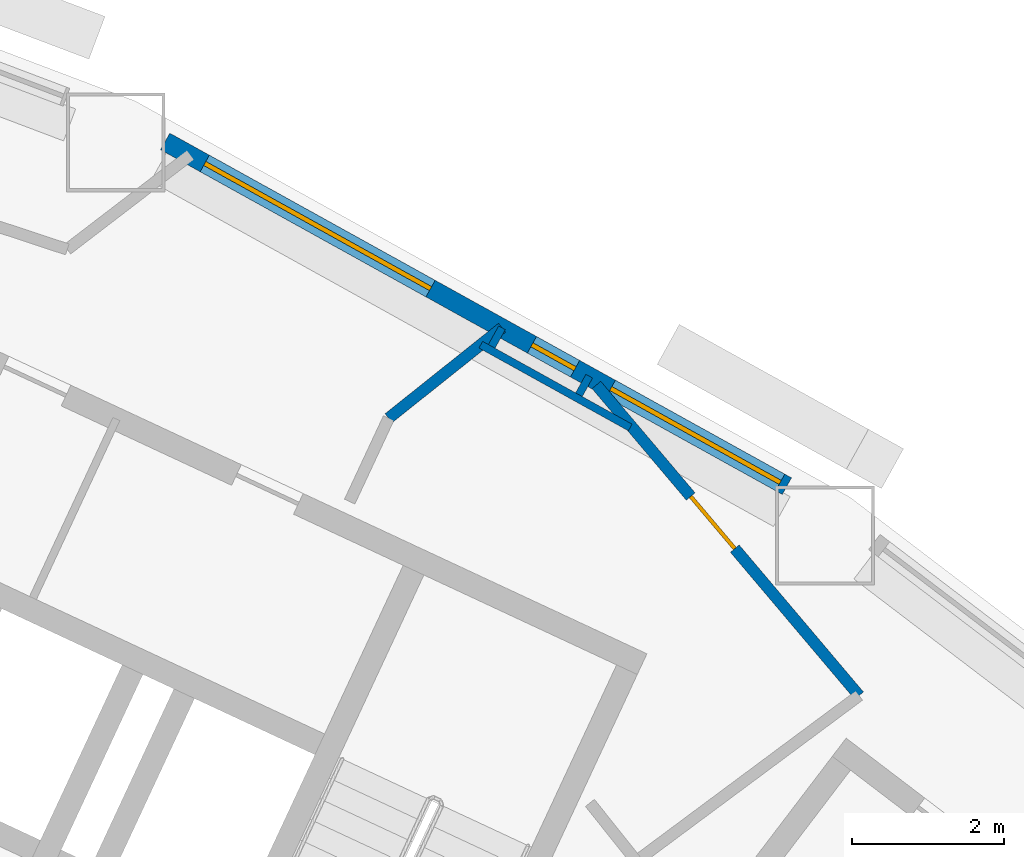
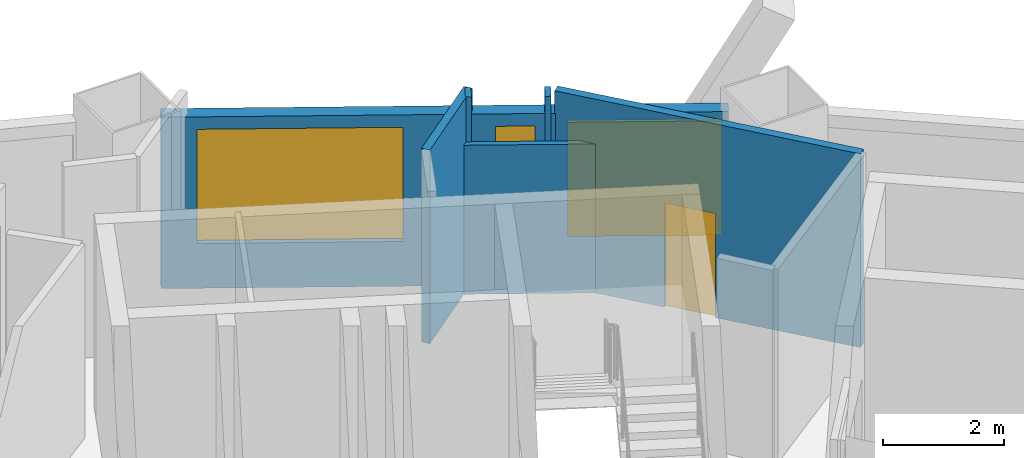
# One storey, part 8 of 11: 6 walls, 3 windows, 1 door, 4 openings.
"""IFC4 building model written with IfcOpenShell, lengths in metres."""

import ifcopenshell
import ifcopenshell.guid

model = None  # the IFC model being written
_history = None  # IfcOwnerHistory: only IFC2X3 demands one
_inside = {}  # id of a spatial element -> (the spatial element, [elements in it])
_under = {}  # id of a project, library or spatial element -> (it, [spatial elements below it])
_declared = {}  # id of a project -> (the project, [libraries it declares])
_typed = {}  # id of a type object -> (the type object, [elements of that type])
_made_of = {}  # id of a material, layer set ... -> (it, [elements and type objects made of it])


def new_model(schema):
    """Start an empty IFC model of exactly this schema.

    Asked for "IFC4X3", IfcOpenShell would pick the latest addendum, in which some entities
    have other attributes; the version numbers below select the first issue.
    IFC2X3 requires an IfcOwnerHistory on every rooted entity: one is made here for all.
    """
    global model, _history
    if schema == "IFC4X3":
        model = ifcopenshell.file(schema_version=(4, 3, 0, 0))
    else:
        model = ifcopenshell.file(schema=schema)
    _inside.clear()
    _under.clear()
    _declared.clear()
    _typed.clear()
    _made_of.clear()
    _history = None
    if model.schema == "IFC2X3":
        org = make("IfcOrganization", Name="unknown")
        user = make(
            "IfcPersonAndOrganization",
            ThePerson=make("IfcPerson", FamilyName="unknown"),
            TheOrganization=org,
        )
        app = make(
            "IfcApplication",
            ApplicationDeveloper=org,
            Version="unknown",
            ApplicationFullName="unknown",
            ApplicationIdentifier="unknown",
        )
        _history = make(
            "IfcOwnerHistory",
            OwningUser=user,
            OwningApplication=app,
            ChangeAction="ADDED",
            CreationDate=0,
        )
    return model


def make(cls, **values):
    """One entity of the class cls with the attributes given. An attribute that is None is left unset."""
    return model.create_entity(
        cls, **{name: value for name, value in values.items() if value is not None}
    )


def rooted(cls, **values):
    """An entity with a GlobalId (a new one), such as an element, a storey or a relation."""
    return make(cls, GlobalId=ifcopenshell.guid.new(), OwnerHistory=_history, **values)


def si_unit(unit_type, name, prefix=None):
    """IfcSIUnit, for example si_unit("LENGTHUNIT", "METRE", prefix="MILLI")."""
    return make("IfcSIUnit", UnitType=unit_type, Prefix=prefix, Name=name)


def assignment(units):
    """IfcUnitAssignment: the units of a project."""
    return None if units is None else make("IfcUnitAssignment", Units=units)


def point(xyz):
    """IfcCartesianPoint."""
    return None if xyz is None else make("IfcCartesianPoint", Coordinates=xyz)


def direction(xyz):
    """IfcDirection."""
    return None if xyz is None else make("IfcDirection", DirectionRatios=xyz)


def frame(location, z_axis=None, x_axis=None):
    """IfcAxis2Placement3D, a coordinate frame: its origin and axes. An axis left out is left unset."""
    return make(
        "IfcAxis2Placement3D",
        Location=point(location),
        Axis=direction(z_axis),
        RefDirection=direction(x_axis),
    )


def frame_2d(location, x_axis=None):
    """IfcAxis2Placement2D, a coordinate frame in the plane: its origin and x axis."""
    return make(
        "IfcAxis2Placement2D", Location=point(location), RefDirection=direction(x_axis)
    )


def origin():
    """The frame at (0, 0, 0) with its axes left unset."""
    return frame((0.0, 0.0, 0.0))


def place(relative_to, where):
    """IfcLocalPlacement: puts the frame where relative to a parent placement (None: the world)."""
    return make(
        "IfcLocalPlacement", PlacementRelTo=relative_to, RelativePlacement=where
    )


def context(
    kind, dimensions, precision=None, world=None, true_north=None, identifier=None
):
    """IfcGeometricRepresentationContext, for example the 3D "Model" context."""
    return make(
        "IfcGeometricRepresentationContext",
        ContextIdentifier=identifier,
        ContextType=kind,
        CoordinateSpaceDimension=dimensions,
        Precision=precision,
        WorldCoordinateSystem=world,
        TrueNorth=true_north,
    )


def subcontext(parent, identifier, kind, view, scale=None):
    """IfcGeometricRepresentationSubContext, for example "Body" below "Model"."""
    return make(
        "IfcGeometricRepresentationSubContext",
        ContextIdentifier=identifier,
        ContextType=kind,
        ParentContext=parent,
        TargetScale=scale,
        TargetView=view,
    )


def project(units=None, contexts=None):
    """IfcProject with its units and contexts."""
    return rooted(
        "IfcProject",
        Name="project",
        RepresentationContexts=contexts,
        UnitsInContext=assignment(units),
    )


def spatial(cls, under=None, at=None, **own):
    """A site, building, storey or space (cls), placed at a placement, below another one or the project."""
    s = rooted(cls, ObjectPlacement=at, **own)
    if under is not None:
        _under.setdefault(under.id(), (under, []))[1].append(s)
    return s


def profile(cls, at=None, kind="AREA", **sizes):
    """A parametric profile (cls). Its sizes go by their IFC names, for example OverallWidth=200.0."""
    return make(cls, ProfileType=kind, Position=at, **sizes)


def rectangle(**sizes):
    """IfcRectangleProfileDef."""
    return profile("IfcRectangleProfileDef", **sizes)


def extrude(swept, where, along, depth):
    """IfcExtrudedAreaSolid: the profile swept, set in the frame where, extruded along a direction by depth."""
    return make(
        "IfcExtrudedAreaSolid",
        SweptArea=swept,
        Position=where,
        ExtrudedDirection=direction(along),
        Depth=depth,
    )


def shape(context_of_items, identifier, shape_type, items):
    """IfcShapeRepresentation: the items that make up one representation, for example the "Body"."""
    return make(
        "IfcShapeRepresentation",
        ContextOfItems=context_of_items,
        RepresentationIdentifier=identifier,
        RepresentationType=shape_type,
        Items=items,
    )


def material(Name=None, Category=None):
    """IfcMaterial."""
    return make("IfcMaterial", Name=Name, Category=Category)


def layer(
    of_material, thickness, ventilated=None, Name=None, Category=None, Priority=None
):
    """IfcMaterialLayer: one layer of a wall or slab, of a material (None: an air gap)."""
    return make(
        "IfcMaterialLayer",
        Material=of_material,
        LayerThickness=thickness,
        IsVentilated=ventilated,
        Name=Name,
        Category=Category,
        Priority=Priority,
    )


def layer_set(layers, Name=None):
    """IfcMaterialLayerSet."""
    return make("IfcMaterialLayerSet", MaterialLayers=layers, LayerSetName=Name)


def made_of(thing, what):
    """Note that an element or type object is made of a material, layer set ...; save() writes the relation."""
    if what is not None:
        _made_of.setdefault(what.id(), (what, []))[1].append(thing)
    return thing


def type_object(cls, material=None, **own):
    """A type object (cls), such as IfcWallType, which elements share."""
    return made_of(rooted(cls, **own), material)


def element(
    cls,
    number,
    at=None,
    inside=None,
    cuts=None,
    type_object=None,
    material=None,
    context=None,
    identifier="Body",
    shape_type=None,
    held_by="IfcProductDefinitionShape",
    body=None,
    shapes=None,
    **own,
):
    """One element of the class cls, such as IfcWall. Its Tag is "e" and its number.

    at: its placement. inside: the storey or other place that contains it. cuts: it is an
    opening in that element (IfcRelVoidsElement). A single representation is given by context,
    identifier, shape_type and body (its items); several are given by shapes. held_by: the class
    of the entity that holds the representations. save() writes the other relations.
    """
    e = rooted(cls, Tag="e%d" % number, ObjectPlacement=at, **own)
    if body is not None:
        shapes = [shape(context, identifier, shape_type, body)]
    if shapes is not None:
        e.Representation = make(held_by, Representations=shapes)
    if inside is not None:
        _inside.setdefault(inside.id(), (inside, []))[1].append(e)
    if cuts is not None:
        rooted(
            "IfcRelVoidsElement", RelatingBuildingElement=cuts, RelatedOpeningElement=e
        )
    if type_object is not None:
        _typed.setdefault(type_object.id(), (type_object, []))[1].append(e)
    return made_of(e, material)


def fill(opening, filler):
    """IfcRelFillsElement: the door or window that sits in an opening."""
    return rooted(
        "IfcRelFillsElement",
        RelatingOpeningElement=opening,
        RelatedBuildingElement=filler,
    )


def aggregate(whole, parts):
    """IfcRelAggregates: a whole, such as a stair, and the parts it consists of."""
    return rooted("IfcRelAggregates", RelatingObject=whole, RelatedObjects=parts)


def save(model, path):
    """Write the relations noted so far, then the file.

    IfcRelAggregates (storeys below a building ...), IfcRelContainedInSpatialStructure (elements
    in a storey), IfcRelDefinesByType, IfcRelAssociatesMaterial and IfcRelDeclares: one each for
    every whole, place, type object, material and project.
    """
    for whole, parts in _under.values():
        aggregate(whole, parts)
    for where, things in _inside.values():
        rooted(
            "IfcRelContainedInSpatialStructure",
            RelatedElements=things,
            RelatingStructure=where,
        )
    for kind, things in _typed.values():
        rooted("IfcRelDefinesByType", RelatedObjects=things, RelatingType=kind)
    for what, things in _made_of.values():
        rooted("IfcRelAssociatesMaterial", RelatedObjects=things, RelatingMaterial=what)
    for by, libraries in _declared.values():
        rooted("IfcRelDeclares", RelatingContext=by, RelatedDefinitions=libraries)
    model.write(path)


model = new_model("IFC4")

# Units and contexts
model_context = context("Model", 3, precision=1e-05, world=origin(), true_north=direction((0.0, 1.0)))
body_context = subcontext(model_context, "Body", "Model", "MODEL_VIEW")
ifc_project = project(units=[si_unit("LENGTHUNIT", "METRE"), si_unit("AREAUNIT", "SQUARE_METRE"), si_unit("VOLUMEUNIT", "CUBIC_METRE"), si_unit("PLANEANGLEUNIT", "RADIAN"), si_unit("MASSUNIT", "GRAM", prefix="KILO")], contexts=[model_context])

# Site, building, storey
site_placement = place(None, origin())
site = spatial("IfcSite", under=ifc_project, at=site_placement, CompositionType="ELEMENT")
building_placement = place(site_placement, origin())
building = spatial("IfcBuilding", under=site, at=building_placement, Name="Tuul Gate Civic Tower", CompositionType="ELEMENT")
storey_placement = place(building_placement, frame((0.0, 0.0, 48.300048828125)))
storey = spatial("IfcBuildingStorey", under=building, at=storey_placement, Name="Level 10", CompositionType="ELEMENT", Elevation=48.300048828125)

# Wall
ifc_material_1 = material(Name="Gypsum board partition")
ifc_layer_1 = layer(ifc_material_1, 0.14990234375)
ifc_layer_set_1 = layer_set([ifc_layer_1], Name="Gypsum board partition")
wall_type_1 = type_object("IfcWallType", Name="Corridor wall P150", PredefinedType="PARTITIONING", material=ifc_layer_set_1)
wall_1_placement = place(storey_placement, frame((34.656005859375, 3.420654296875, 0.0), z_axis=(0.0, 0.0, 1.0), x_axis=(0.781915437201, 0.623384511411, 0.0)))
element("IfcWall", 1, at=wall_1_placement, inside=storey, type_object=wall_type_1, Name="p013", PredefinedType="PARTITIONING", context=body_context, shape_type="SweptSolid", body=[
    extrude(rectangle(XDim=1.90966796875, YDim=0.14990234375, at=frame_2d((0.954833984375, 0.0))), origin(), (0.0, 0.0, 1.0), 3.89990234375),
])

# Wall, opening, door
wall_2_placement = place(storey_placement, frame((37.392333984375, 3.85791015625, 0.0), z_axis=(0.0, 0.0, 1.0), x_axis=(0.645664327294, -0.763621356734, 0.0)))
wall_2 = element("IfcWall", 2, at=wall_2_placement, inside=storey, type_object=wall_type_1, Name="p014", PredefinedType="PARTITIONING", context=body_context, shape_type="SweptSolid", body=[
    extrude(rectangle(XDim=5.3564453125, YDim=0.14990234375, at=frame_2d((2.67822265625, 0.0))), origin(), (0.0, 0.0, 1.0), 3.89990234375),
])
opening_1_placement = place(wall_2_placement, frame((1.922119140625, 0.0, 0.0)))
opening_1 = element("IfcOpeningElement", 3, at=opening_1_placement, cuts=wall_2, Name="Opening B-D02", PredefinedType="OPENING", context=body_context, shape_type="SweptSolid", body=[
    extrude(rectangle(XDim=0.89990234375, YDim=2.10009765625, at=frame_2d((0.449951171875, 1.050048828125))), frame((0.0, 0.0849609375, 0.0), z_axis=(0.0, -1.0, 0.0), x_axis=(1.0, 0.0, 0.0)), (0.0, 0.0, 1.0), 0.169921875),
])
ifc_material_2 = material(Name="Timber door leaf", Category="wood")
door_type = type_object("IfcDoorType", Name="Door D09", OperationType="NOTDEFINED", PredefinedType="DOOR", material=ifc_material_2)
door_placement = place(opening_1_placement, frame((0.89990234375, 0.0, 0.0), z_axis=(0.0, 0.0, 1.0), x_axis=(-1.0, 0.0, 0.0)))
door = element("IfcDoor", 4, at=door_placement, inside=storey, type_object=door_type, Name="Door B-D02", OperationType="SINGLE_SWING_RIGHT", OverallHeight=2.10009765625, OverallWidth=0.89990234375, PredefinedType="DOOR", context=body_context, shape_type="SweptSolid", body=[
    extrude(rectangle(XDim=0.89990234375, YDim=2.10009765625, at=frame_2d((0.449951171875, 1.050048828125))), frame((0.0, 0.02490234375, 0.0), z_axis=(0.0, -1.0, 0.0), x_axis=(1.0, 0.0, 0.0)), (0.0, 0.0, 1.0), 0.050048828125),
])
fill(opening_1, door)

# Wall, openings, windows
ifc_material_3 = material(Name="Precast concrete C40/50", Category="concrete")
ifc_layer_2 = layer(ifc_material_3, 0.25)
ifc_layer_set_2 = layer_set([ifc_layer_2], Name="Precast concrete C40/50")
wall_type_2 = type_object("IfcWallType", Name="External wall", PredefinedType="STANDARD", material=ifc_layer_set_2)
wall_3_placement = place(storey_placement, frame((39.900390625, 2.52587890625, 0.0), z_axis=(0.0, 0.0, 1.0), x_axis=(-0.87462564428, 0.484798909206, 0.0)))
wall_3 = element("IfcWall", 5, at=wall_3_placement, inside=storey, type_object=wall_type_2, Name="External wall", PredefinedType="STANDARD", context=body_context, shape_type="SweptSolid", body=[
    extrude(rectangle(XDim=9.35986328125, YDim=0.25, at=frame_2d((4.679931640625, 0.0))), origin(), (0.0, 0.0, 1.0), 3.449951171875),
])
opening_2_placement = place(wall_3_placement, frame((0.10107421875, 0.0, 0.89990234375)))
opening_2 = element("IfcOpeningElement", 6, at=opening_2_placement, cuts=wall_3, Name="Opening W120", PredefinedType="OPENING", context=body_context, shape_type="SweptSolid", body=[
    extrude(rectangle(XDim=2.550048828125, YDim=2.300048828125, at=frame_2d((1.27490234375, 1.14990234375))), frame((0.0, 0.135009765625, 0.0), z_axis=(0.0, -1.0, 0.0), x_axis=(1.0, 0.0, 0.0)), (0.0, 0.0, 1.0), 0.27001953125),
])
opening_3_placement = place(wall_3_placement, frame((3.18896484375, 0.0, 0.89990234375)))
opening_3 = element("IfcOpeningElement", 7, at=opening_3_placement, cuts=wall_3, Name="Opening W31", PredefinedType="OPENING", context=body_context, shape_type="SweptSolid", body=[
    extrude(rectangle(XDim=0.64990234375, YDim=2.300048828125, at=frame_2d((0.324951171875, 1.14990234375))), frame((0.0, 0.135009765625, 0.0), z_axis=(0.0, -1.0, 0.0), x_axis=(1.0, 0.0, 0.0)), (0.0, 0.0, 1.0), 0.27001953125),
])
opening_4_placement = place(wall_3_placement, frame((5.3642578125, 0.0, 0.89990234375)))
opening_4 = element("IfcOpeningElement", 8, at=opening_4_placement, cuts=wall_3, Name="Opening W32", PredefinedType="OPENING", context=body_context, shape_type="SweptSolid", body=[
    extrude(rectangle(XDim=3.39990234375, YDim=2.300048828125, at=frame_2d((1.699951171875, 1.14990234375))), frame((0.0, 0.135009765625, 0.0), z_axis=(0.0, -1.0, 0.0), x_axis=(1.0, 0.0, 0.0)), (0.0, 0.0, 1.0), 0.27001953125),
])
ifc_material_4 = material(Name="Glass", Category="glass")
window_type_1 = type_object("IfcWindowType", Name="Window 3400 x 2300", PartitioningType="SINGLE_PANEL", PredefinedType="WINDOW", material=ifc_material_4)
window_1_placement = place(opening_4_placement, origin())
window_1 = element("IfcWindow", 9, at=window_1_placement, inside=storey, type_object=window_type_1, Name="Window", OverallHeight=2.300048828125, OverallWidth=3.39990234375, PartitioningType="SINGLE_PANEL", PredefinedType="WINDOW", context=body_context, shape_type="SweptSolid", body=[
    extrude(rectangle(XDim=3.39990234375, YDim=2.300048828125, at=frame_2d((1.699951171875, 1.14990234375))), frame((0.0, 0.030029296875, 0.0), z_axis=(0.0, -1.0, 0.0), x_axis=(1.0, 0.0, 0.0)), (0.0, 0.0, 1.0), 0.06005859375),
])
fill(opening_4, window_1)
ifc_material_5 = material(Name="Glass", Category="glass")
window_type_2 = type_object("IfcWindowType", Name="Window 650 x 2300", PartitioningType="SINGLE_PANEL", PredefinedType="WINDOW", material=ifc_material_5)
window_2_placement = place(opening_3_placement, origin())
window_2 = element("IfcWindow", 10, at=window_2_placement, inside=storey, type_object=window_type_2, Name="Window", OverallHeight=2.300048828125, OverallWidth=0.64990234375, PartitioningType="SINGLE_PANEL", PredefinedType="WINDOW", context=body_context, shape_type="SweptSolid", body=[
    extrude(rectangle(XDim=0.64990234375, YDim=2.300048828125, at=frame_2d((0.324951171875, 1.14990234375))), frame((0.0, 0.030029296875, 0.0), z_axis=(0.0, -1.0, 0.0), x_axis=(1.0, 0.0, 0.0)), (0.0, 0.0, 1.0), 0.06005859375),
])
fill(opening_3, window_2)
ifc_material_6 = material(Name="Glass", Category="glass")
window_type_3 = type_object("IfcWindowType", Name="Window W120 2550 x 2300", PartitioningType="SINGLE_PANEL", PredefinedType="WINDOW", material=ifc_material_6)
window_3_placement = place(opening_2_placement, origin())
window_3 = element("IfcWindow", 11, at=window_3_placement, inside=storey, type_object=window_type_3, Name="Window", OverallHeight=2.300048828125, OverallWidth=2.550048828125, PartitioningType="SINGLE_PANEL", PredefinedType="WINDOW", context=body_context, shape_type="SweptSolid", body=[
    extrude(rectangle(XDim=2.550048828125, YDim=2.300048828125, at=frame_2d((1.27490234375, 1.14990234375))), frame((0.0, 0.030029296875, 0.0), z_axis=(0.0, -1.0, 0.0), x_axis=(1.0, 0.0, 0.0)), (0.0, 0.0, 1.0), 0.06005859375),
])
fill(opening_2, window_3)

# Walls
ifc_material_7 = material(Name="Gypsum board partition")
ifc_layer_3 = layer(ifc_material_7, 0.10009765625)
ifc_layer_set_3 = layer_set([ifc_layer_3], Name="Gypsum board partition")
wall_type_3 = type_object("IfcWallType", Name="Partition P100", PredefinedType="PARTITIONING", material=ifc_layer_set_3)
for number, where, z_axis, x_axis, name in (
    (12, (36.149169921875, 4.611083984375, 0.0), (0.0, 0.0, 1.0), (-0.48549491249, -0.874239492329, 0.0), "p068"),
    (13, (37.2978515625, 3.974365234375, 0.0), (0.0, 0.0, 1.0), (-0.484828311518, -0.874609346137, 0.0), "p069"),
):
    element("IfcWall", number, at=place(storey_placement, frame(where, z_axis=z_axis, x_axis=x_axis)), inside=storey, type_object=wall_type_3, Name=name, PredefinedType="PARTITIONING", context=body_context, shape_type="SweptSolid", body=[
        extrude(rectangle(XDim=0.280029296875, YDim=0.10009765625, at=frame_2d((0.14013671875, 0.0))), origin(), (0.0, 0.0, 1.0), 3.89990234375),
    ])
ifc_material_8 = material(Name="Gypsum board partition")
ifc_layer_4 = layer(ifc_material_8, 0.10009765625)
ifc_layer_set_4 = layer_set([ifc_layer_4], Name="Gypsum board partition")
wall_type_4 = type_object("IfcWallType", Name="Partition P100 3000 HIGH", PredefinedType="PARTITIONING", material=ifc_layer_set_4)
wall_4_placement = place(storey_placement, frame((35.869873046875, 4.388427734375, 0.0), z_axis=(0.0, 0.0, 1.0), x_axis=(0.874643355886, -0.484766954324, 0.0)))
element("IfcWall", 14, at=wall_4_placement, inside=storey, type_object=wall_type_4, Name="p065", PredefinedType="PARTITIONING", context=body_context, shape_type="SweptSolid", body=[
    extrude(rectangle(XDim=2.248779296875, YDim=0.10009765625, at=frame_2d((1.12451171875, 0.0))), origin(), (0.0, 0.0, 1.0), 3.0),
])

save(model, "model.ifc")
